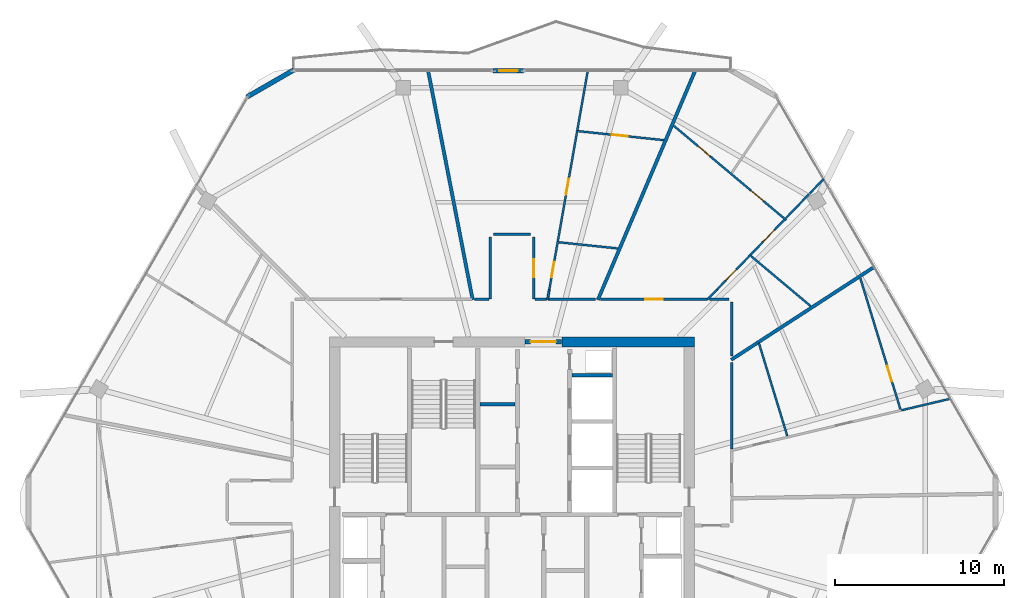
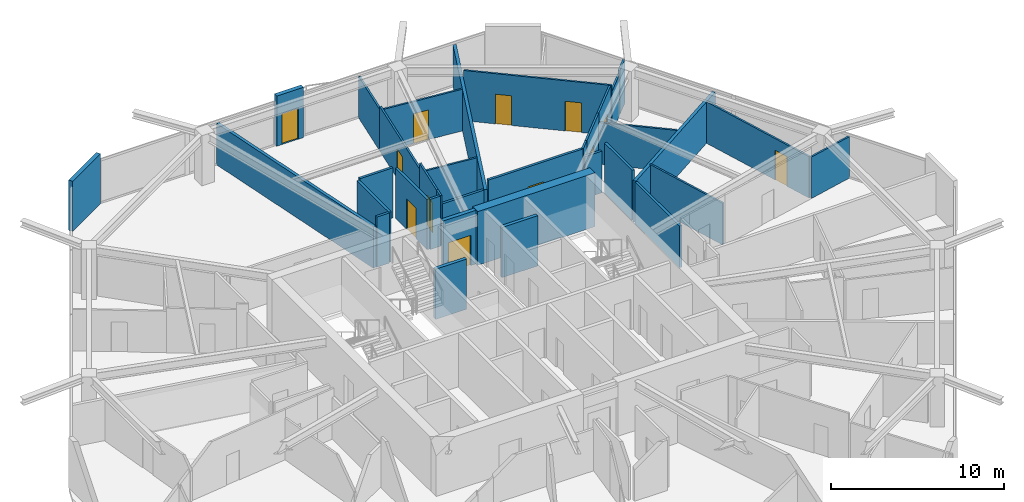
# One storey, part 23 of 26: 35 walls, 12 doors, 12 openings.
"""IFC4 building model written with IfcOpenShell, lengths in metres."""

from ifc_helpers import new_model, si_unit, direction, frame, frame_2d, origin, place, context, subcontext, project, spatial, rectangle, extrude, material, layer, layer_set, type_object, element, fill, save


model = new_model("IFC4")

# Units and contexts
model_context = context("Model", 3, precision=1e-05, world=origin(), true_north=direction((0.0, 1.0)))
body_context = subcontext(model_context, "Body", "Model", "MODEL_VIEW")
ifc_project = project(units=[si_unit("LENGTHUNIT", "METRE"), si_unit("AREAUNIT", "SQUARE_METRE"), si_unit("VOLUMEUNIT", "CUBIC_METRE"), si_unit("PLANEANGLEUNIT", "RADIAN"), si_unit("MASSUNIT", "GRAM", prefix="KILO")], contexts=[model_context])

# Site, building, storey
site_placement = place(None, origin())
site = spatial("IfcSite", under=ifc_project, at=site_placement, CompositionType="ELEMENT")
building_placement = place(site_placement, origin())
building = spatial("IfcBuilding", under=site, at=building_placement, Name="Zuhravey Tower", CompositionType="ELEMENT")
storey_placement = place(building_placement, frame((0.0, 0.0, 288.199951171875)))
storey = spatial("IfcBuildingStorey", under=building, at=storey_placement, Name="L73", CompositionType="ELEMENT", Elevation=288.199951171875)

# Wall
ifc_material_1 = material(Name="Concrete C50/60", Category="concrete")
ifc_layer_1 = layer(ifc_material_1, 0.60009765625)
ifc_layer_set_1 = layer_set([ifc_layer_1], Name="Concrete C50/60")
wall_type_1 = type_object("IfcWallType", Name="Core Shear Wall 600", PredefinedType="SHEAR", material=ifc_layer_set_1)
wall_1_placement = place(storey_placement, frame((46.800048828125, 41.5, 0.0), z_axis=(0.0, 0.0, 1.0), x_axis=(-1.0, 0.0, 0.0)))
element("IfcWall", 1, at=wall_1_placement, inside=storey, type_object=wall_type_1, Name="L73 North-East Core Shear Wall CW60", PredefinedType="SHEAR", context=body_context, shape_type="SweptSolid", body=[
    extrude(rectangle(XDim=7.85009765625, YDim=0.60009765625, at=frame_2d((3.925048828125, 0.0))), origin(), (0.0, 0.0, 1.0), 3.800048828125),
])

# Wall, opening, door
ifc_material_2 = material(Name="Gypsum fire-rated stud partition")
ifc_layer_2 = layer(ifc_material_2, 0.159912109375)
ifc_layer_set_2 = layer_set([ifc_layer_2], Name="Gypsum fire-rated stud partition")
wall_type_2 = type_object("IfcWallType", Name="Corridor Fire Partition 160", PredefinedType="PARTITIONING", material=ifc_layer_set_2)
wall_2_placement = place(storey_placement, frame((47.5732421875, 44.030029296875, 0.0), z_axis=(0.0, 0.0, 1.0), x_axis=(-1.0, 0.0, 0.0)))
wall_2 = element("IfcWall", 2, at=wall_2_placement, inside=storey, type_object=wall_type_2, Name="L73 IW16 Partition 056", PredefinedType="PARTITIONING", context=body_context, shape_type="SweptSolid", body=[
    extrude(rectangle(XDim=6.320556640625, YDim=0.159912109375, at=frame_2d((3.16015625, 0.0))), origin(), (0.0, 0.0, 1.0), 3.550048828125),
])
opening_1_placement = place(wall_2_placement, frame((2.63525390625, 0.0, 0.0)))
opening_1 = element("IfcOpeningElement", 3, at=opening_1_placement, cuts=wall_2, Name="Opening APD1", PredefinedType="OPENING", context=body_context, shape_type="SweptSolid", body=[
    extrude(rectangle(XDim=1.050048828125, YDim=2.14990234375, at=frame_2d((0.52490234375, 1.074951171875))), frame((0.0, 0.092041015625, 0.0), z_axis=(0.0, -1.0, 0.0), x_axis=(1.0, 0.0, 0.0)), (0.0, 0.0, 1.0), 0.183837890625),
])
ifc_material_3 = material(Name="Solid-core oak fire-rated leaf")
door_type_1 = type_object("IfcDoorType", Name="Apartment Entrance Fire Door 1050x2150", OperationType="NOTDEFINED", PredefinedType="DOOR", material=ifc_material_3)
door_1_placement = place(opening_1_placement, frame((1.050048828125, 0.0, 0.0), z_axis=(0.0, 0.0, 1.0), x_axis=(-1.0, 0.0, 0.0)))
door_1 = element("IfcDoor", 4, at=door_1_placement, inside=storey, type_object=door_type_1, Name="L73 Door 056.1", OperationType="SINGLE_SWING_LEFT", OverallHeight=2.14990234375, OverallWidth=1.050048828125, PredefinedType="DOOR", context=body_context, shape_type="SweptSolid", body=[
    extrude(rectangle(XDim=1.050048828125, YDim=2.14990234375, at=frame_2d((0.52490234375, 1.074951171875))), frame((0.0, 0.02490234375, 0.0), z_axis=(0.0, -1.0, 0.0), x_axis=(1.0, 0.0, 0.0)), (0.0, 0.0, 1.0), 0.050048828125),
])
fill(opening_1, door_1)

wall_3_placement = place(storey_placement, frame((37.280029296875, 44.030029296875, 0.0), z_axis=(0.0, 0.0, 1.0), x_axis=(0.0, 1.0, 0.0)))
wall_3 = element("IfcWall", 5, at=wall_3_placement, inside=storey, type_object=wall_type_2, Name="L73 IW16 Partition 060", PredefinedType="PARTITIONING", context=body_context, shape_type="SweptSolid", body=[
    extrude(rectangle(XDim=3.669921875, YDim=0.159912109375, at=frame_2d((1.8349609375, 0.0))), origin(), (0.0, 0.0, 1.0), 3.550048828125),
])
opening_2_placement = place(wall_3_placement, frame((1.31005859375, 0.0, 0.0)))
opening_2 = element("IfcOpeningElement", 6, at=opening_2_placement, cuts=wall_3, Name="Opening APD1", PredefinedType="OPENING", context=body_context, shape_type="SweptSolid", body=[
    extrude(rectangle(XDim=1.050048828125, YDim=2.14990234375, at=frame_2d((0.52490234375, 1.074951171875))), frame((0.0, 0.092041015625, 0.0), z_axis=(0.0, -1.0, 0.0), x_axis=(1.0, 0.0, 0.0)), (0.0, 0.0, 1.0), 0.183837890625),
])
door_2_placement = place(opening_2_placement, origin())
door_2 = element("IfcDoor", 7, at=door_2_placement, inside=storey, type_object=door_type_1, Name="L73 Door 060.1", OperationType="SINGLE_SWING_LEFT", OverallHeight=2.14990234375, OverallWidth=1.050048828125, PredefinedType="DOOR", context=body_context, shape_type="SweptSolid", body=[
    extrude(rectangle(XDim=1.050048828125, YDim=2.14990234375, at=frame_2d((0.52490234375, 1.074951171875))), frame((0.0, 0.02490234375, 0.0), z_axis=(0.0, -1.0, 0.0), x_axis=(1.0, 0.0, 0.0)), (0.0, 0.0, 1.0), 0.050048828125),
])
fill(opening_2, door_2)

# Walls
wall_4_placement = place(storey_placement, frame((49.030029296875, 35.145263671875, 0.0), z_axis=(0.0, 0.0, 1.0), x_axis=(0.0, 1.0, 0.0)))
element("IfcWall", 8, at=wall_4_placement, inside=storey, type_object=wall_type_2, Name="L73 IW16 Partition 123", PredefinedType="PARTITIONING", context=body_context, shape_type="SweptSolid", body=[
    extrude(rectangle(XDim=5.132080078125, YDim=0.159912109375, at=frame_2d((2.56591796875, 0.0))), origin(), (0.0, 0.0, 1.0), 2.949951171875),
])
wall_5_placement = place(storey_placement, frame((49.030029296875, 40.6484375, 0.0), z_axis=(0.0, 0.0, 1.0), x_axis=(0.0, 1.0, 0.0)))
element("IfcWall", 9, at=wall_5_placement, inside=storey, type_object=wall_type_2, Name="L73 IW16 Partition 124", PredefinedType="PARTITIONING", context=body_context, shape_type="SweptSolid", body=[
    extrude(rectangle(XDim=3.20166015625, YDim=0.159912109375, at=frame_2d((1.600830078125, 0.0))), origin(), (0.0, 0.0, 1.0), 3.550048828125),
])
wall_6_placement = place(storey_placement, frame((48.85009765625, 44.030029296875, 0.0), z_axis=(0.0, 0.0, 1.0), x_axis=(-1.0, 0.0, 0.0)))
element("IfcWall", 10, at=wall_6_placement, inside=storey, type_object=wall_type_2, Name="L73 IW16 Partition 125", PredefinedType="PARTITIONING", context=body_context, shape_type="SweptSolid", body=[
    extrude(rectangle(XDim=1.154541015625, YDim=0.159912109375, at=frame_2d((0.5771484375, 0.0))), origin(), (0.0, 0.0, 1.0), 2.949951171875),
])
wall_7_placement = place(storey_placement, frame((34.719970703125, 47.699951171875, 0.0), z_axis=(0.0, 0.0, 1.0), x_axis=(0.0, -1.0, 0.0)))
element("IfcWall", 11, at=wall_7_placement, inside=storey, type_object=wall_type_2, Name="L73 IW16 Partition 126", PredefinedType="PARTITIONING", context=body_context, shape_type="SweptSolid", body=[
    extrude(rectangle(XDim=3.669921875, YDim=0.159912109375, at=frame_2d((1.8349609375, 0.0))), origin(), (0.0, 0.0, 1.0), 3.550048828125),
])
wall_8_placement = place(storey_placement, frame((37.10009765625, 47.8798828125, 0.0), z_axis=(0.0, 0.0, 1.0), x_axis=(-1.0, 0.0, 0.0)))
element("IfcWall", 12, at=wall_8_placement, inside=storey, type_object=wall_type_2, Name="L73 IW16 Partition 127", PredefinedType="PARTITIONING", context=body_context, shape_type="SweptSolid", body=[
    extrude(rectangle(XDim=2.2001953125, YDim=0.159912109375, at=frame_2d((1.10009765625, 0.0))), origin(), (0.0, 0.0, 1.0), 3.550048828125),
])
wall_9_placement = place(storey_placement, frame((34.632080078125, 44.030029296875, 0.0), z_axis=(0.0, 0.0, 1.0), x_axis=(-1.0, 0.0, 0.0)))
element("IfcWall", 13, at=wall_9_placement, inside=storey, type_object=wall_type_2, Name="L73 IW16 Partition 128", PredefinedType="PARTITIONING", context=body_context, shape_type="SweptSolid", body=[
    extrude(rectangle(XDim=0.84130859375, YDim=0.159912109375, at=frame_2d((0.420654296875, 0.0))), origin(), (0.0, 0.0, 1.0), 3.550048828125),
])
wall_10_placement = place(storey_placement, frame((38.04345703125, 44.030029296875, 0.0), z_axis=(0.0, 0.0, 1.0), x_axis=(-1.0, 0.0, 0.0)))
element("IfcWall", 14, at=wall_10_placement, inside=storey, type_object=wall_type_2, Name="L73 IW16 Partition 129", PredefinedType="PARTITIONING", context=body_context, shape_type="SweptSolid", body=[
    extrude(rectangle(XDim=0.675537109375, YDim=0.159912109375, at=frame_2d((0.337890625, 0.0))), origin(), (0.0, 0.0, 1.0), 3.550048828125),
])
wall_11_placement = place(storey_placement, frame((40.961181640625, 44.030029296875, 0.0), z_axis=(0.0, 0.0, 1.0), x_axis=(-1.0, 0.0, 0.0)))
element("IfcWall", 15, at=wall_11_placement, inside=storey, type_object=wall_type_2, Name="L73 IW16 Partition 130", PredefinedType="PARTITIONING", context=body_context, shape_type="SweptSolid", body=[
    extrude(rectangle(XDim=2.779541015625, YDim=0.159912109375, at=frame_2d((1.3896484375, 0.0))), origin(), (0.0, 0.0, 1.0), 2.949951171875),
])
ifc_material_4 = material(Name="Precast concrete C40/50", Category="concrete")
ifc_layer_3 = layer(ifc_material_4, 0.280029296875)
ifc_layer_set_3 = layer_set([ifc_layer_3], Name="Precast concrete C40/50")
wall_type_3 = type_object("IfcWallType", Name="Crown Architectural Wall 280", PredefinedType="SOLIDWALL", material=ifc_layer_set_3)
wall_12_placement = place(storey_placement, frame((20.285400390625, 56.003662109375, 0.0), z_axis=(0.0, 0.0, 1.0), x_axis=(0.866028773314, 0.499994163758, 0.0)))
element("IfcWall", 16, at=wall_12_placement, inside=storey, type_object=wall_type_3, Name="L73 Rounded Corner Closure Wall EW28-08", PredefinedType="SOLIDWALL", context=body_context, shape_type="SweptSolid", body=[
    extrude(rectangle(XDim=3.21484375, YDim=0.280029296875, at=frame_2d((1.607421875, 0.0))), origin(), (0.0, 0.0, 1.0), 3.550048828125),
])

# Wall, opening, door
wall_13_placement = place(storey_placement, frame((34.88623046875, 57.563720703125, 0.0), z_axis=(0.0, 0.0, 1.0), x_axis=(1.0, 0.0, 0.0)))
wall_13 = element("IfcWall", 17, at=wall_13_placement, inside=storey, type_object=wall_type_3, Name="L73 Face 2 Facade Pier EW28-1", PredefinedType="SOLIDWALL", context=body_context, shape_type="SweptSolid", body=[
    extrude(rectangle(XDim=1.7900390625, YDim=0.280029296875, at=frame_2d((0.89501953125, 0.0))), origin(), (0.0, 0.0, 1.0), 3.550048828125),
])
opening_3_placement = place(wall_13_placement, frame((0.344970703125, 0.0, 0.0)))
opening_3 = element("IfcOpeningElement", 18, at=opening_3_placement, cuts=wall_13, Name="Opening BLD1", PredefinedType="OPENING", context=body_context, shape_type="SweptSolid", body=[
    extrude(rectangle(XDim=1.10009765625, YDim=2.199951171875, at=frame_2d((0.550048828125, 1.10009765625))), frame((0.0, 0.152099609375, 0.0), z_axis=(0.0, -1.0, 0.0), x_axis=(1.0, 0.0, 0.0)), (0.0, 0.0, 1.0), 0.303955078125),
])
ifc_material_5 = material(Name="Thermally broken aluminium and low-E glass", Category="aluminium")
door_type_2 = type_object("IfcDoorType", Name="Balcony & Sky-Tray Glazed Door 1100x2200", OperationType="NOTDEFINED", PredefinedType="DOOR", material=ifc_material_5)
door_3_placement = place(opening_3_placement, frame((1.10009765625, 0.0, 0.0), z_axis=(0.0, 0.0, 1.0), x_axis=(-1.0, 0.0, 0.0)))
door_3 = element("IfcDoor", 19, at=door_3_placement, inside=storey, type_object=door_type_2, Name="L73 Face 2 Wave Balcony Door", OperationType="SINGLE_SWING_RIGHT", OverallHeight=2.199951171875, OverallWidth=1.10009765625, PredefinedType="DOOR", context=body_context, shape_type="SweptSolid", body=[
    extrude(rectangle(XDim=1.10009765625, YDim=2.199951171875, at=frame_2d((0.550048828125, 1.10009765625))), frame((0.0, 0.02490234375, 0.0), z_axis=(0.0, -1.0, 0.0), x_axis=(1.0, 0.0, 0.0)), (0.0, 0.0, 1.0), 0.050048828125),
])
fill(opening_3, door_3)

ifc_layer_4 = layer(ifc_material_1, 0.25)
ifc_layer_set_4 = layer_set([ifc_layer_4], Name="Concrete C50/60")
wall_type_4 = type_object("IfcWallType", Name="Firefighting Shaft & Stair Wall 250", PredefinedType="SOLIDWALL", material=ifc_layer_set_4)
wall_14_placement = place(storey_placement, frame((36.760009765625, 41.5, 0.0), z_axis=(0.0, 0.0, 1.0), x_axis=(1.0, 0.0, 0.0)))
wall_14 = element("IfcWall", 20, at=wall_14_placement, inside=storey, type_object=wall_type_4, Name="L73 FW25 Shaft Wall 002", PredefinedType="SOLIDWALL", context=body_context, shape_type="SweptSolid", body=[
    extrude(rectangle(XDim=2.179931640625, YDim=0.25, at=frame_2d((1.08984375, 0.0))), origin(), (0.0, 0.0, 1.0), 3.800048828125),
])
opening_4_placement = place(wall_14_placement, frame((0.340087890625, 0.0, 0.0)))
opening_4 = element("IfcOpeningElement", 21, at=opening_4_placement, cuts=wall_14, Name="Opening FFD1", PredefinedType="OPENING", context=body_context, shape_type="SweptSolid", body=[
    extrude(rectangle(XDim=1.5, YDim=2.14990234375, at=frame_2d((0.75, 1.074951171875))), frame((0.0, 0.136962890625, 0.0), z_axis=(0.0, -1.0, 0.0), x_axis=(1.0, 0.0, 0.0)), (0.0, 0.0, 1.0), 0.27392578125),
])
ifc_material_6 = material(Name="Galvanised fire-rated steel leaf", Category="steel")
door_type_3 = type_object("IfcDoorType", Name="Firefighting Lobby Double Door 1500x2150", OperationType="DOUBLE_DOOR_SINGLE_SWING", PredefinedType="DOOR", material=ifc_material_6)
door_4_placement = place(opening_4_placement, origin())
door_4 = element("IfcDoor", 22, at=door_4_placement, inside=storey, type_object=door_type_3, Name="L73 North Lift Lobby Exit Door", OperationType="DOUBLE_DOOR_SINGLE_SWING", OverallHeight=2.14990234375, OverallWidth=1.5, PredefinedType="DOOR", context=body_context, shape_type="SweptSolid", body=[
    extrude(rectangle(XDim=1.5, YDim=2.14990234375, at=frame_2d((0.75, 1.074951171875))), frame((0.0, 0.02490234375, 0.0), z_axis=(0.0, -1.0, 0.0), x_axis=(1.0, 0.0, 0.0)), (0.0, 0.0, 1.0), 0.050048828125),
])
fill(opening_4, door_4)

# Walls
ifc_material_7 = material(Name="Gypsum double-stud party assembly")
ifc_layer_5 = layer(ifc_material_7, 0.199951171875)
ifc_layer_set_5 = layer_set([ifc_layer_5], Name="Gypsum double-stud party assembly")
wall_type_5 = type_object("IfcWallType", Name="Inter-Tenancy Party Wall 200", PredefinedType="PARTITIONING", material=ifc_layer_set_5)
wall_15_placement = place(storey_placement, frame((48.989990234375, 40.435791015625, 0.0), z_axis=(0.0, 0.0, 1.0), x_axis=(0.838669748525, 0.54464029681, 0.0)))
element("IfcWall", 23, at=wall_15_placement, inside=storey, type_object=wall_type_5, Name="L73 IW20 Partition 096", PredefinedType="PARTITIONING", context=body_context, shape_type="SweptSolid", body=[
    extrude(rectangle(XDim=10.110107421875, YDim=0.199951171875, at=frame_2d((5.05517578125, 0.0))), origin(), (0.0, 0.0, 1.0), 2.929931640625),
])
wall_16_placement = place(storey_placement, frame((41.089599609375, 43.989990234375, 0.0), z_axis=(0.0, 0.0, 1.0), x_axis=(0.390717789384, 0.920510515453, 0.0)))
element("IfcWall", 24, at=wall_16_placement, inside=storey, type_object=wall_type_5, Name="L73 IW20 Partition 101", PredefinedType="PARTITIONING", context=body_context, shape_type="SweptSolid", body=[
    extrude(rectangle(XDim=14.745849609375, YDim=0.199951171875, at=frame_2d((7.373046875, 0.0))), origin(), (0.0, 0.0, 1.0), 2.929931640625),
])
wall_17_placement = place(storey_placement, frame((33.66943359375, 43.989990234375, 0.0), z_axis=(0.0, 0.0, 1.0), x_axis=(-0.190806334077, 0.981627700748, 0.0)))
element("IfcWall", 25, at=wall_17_placement, inside=storey, type_object=wall_type_5, Name="L73 IW20 Partition 105", PredefinedType="PARTITIONING", context=body_context, shape_type="SweptSolid", body=[
    extrude(rectangle(XDim=13.827880859375, YDim=0.199951171875, at=frame_2d((6.9140625, 0.0))), origin(), (0.0, 0.0, 1.0), 2.929931640625),
])
ifc_material_8 = material(Name="Gypsum acoustic stud assembly")
ifc_layer_6 = layer(ifc_material_8, 0.219970703125)
ifc_layer_set_6 = layer_set([ifc_layer_6], Name="Gypsum acoustic stud assembly")
wall_type_6 = type_object("IfcWallType", Name="School Acoustic Compartment Wall 220", PredefinedType="PARTITIONING", material=ifc_layer_set_6)
wall_18_placement = place(storey_placement, frame((34.10791015625, 37.800048828125, 0.0), z_axis=(0.0, 0.0, 1.0), x_axis=(1.0, 0.0, 0.0)))
element("IfcWall", 26, at=wall_18_placement, inside=storey, type_object=wall_type_6, Name="L73 IW22 Partition 066", PredefinedType="PARTITIONING", context=body_context, shape_type="SweptSolid", body=[
    extrude(rectangle(XDim=2.083984375, YDim=0.219970703125, at=frame_2d((1.0419921875, 0.0))), origin(), (0.0, 0.0, 1.0), 3.550048828125),
])
wall_19_placement = place(storey_placement, frame((39.55810546875, 39.52490234375, 0.0), z_axis=(0.0, 0.0, 1.0), x_axis=(1.0, 0.0, 0.0)))
element("IfcWall", 27, at=wall_19_placement, inside=storey, type_object=wall_type_6, Name="L73 IW22 Partition 069", PredefinedType="PARTITIONING", context=body_context, shape_type="SweptSolid", body=[
    extrude(rectangle(XDim=2.3837890625, YDim=0.219970703125, at=frame_2d((1.19189453125, 0.0))), origin(), (0.0, 0.0, 1.0), 3.550048828125),
])

# Wall, opening, door
ifc_material_9 = material(Name="Gypsum metal-stud partition")
ifc_layer_7 = layer(ifc_material_9, 0.1201171875)
ifc_layer_set_7 = layer_set([ifc_layer_7], Name="Gypsum metal-stud partition")
wall_type_7 = type_object("IfcWallType", Name="Unit Internal Partition 120", PredefinedType="PARTITIONING", material=ifc_layer_set_7)
wall_20_placement = place(storey_placement, frame((59.0166015625, 37.502197265625, 0.0), z_axis=(0.0, 0.0, 1.0), x_axis=(-0.292365927027, 0.956306522363, 0.0)))
wall_20 = element("IfcWall", 28, at=wall_20_placement, inside=storey, type_object=wall_type_7, Name="L73 IW12 Partition 050", PredefinedType="PARTITIONING", context=body_context, shape_type="SweptSolid", body=[
    extrude(rectangle(XDim=8.121826171875, YDim=0.1201171875, at=frame_2d((4.06103515625, 0.0))), origin(), (0.0, 0.0, 1.0), 2.929931640625),
])
opening_5_placement = place(wall_20_placement, frame((1.74169921875, 0.0, 0.0)))
opening_5 = element("IfcOpeningElement", 29, at=opening_5_placement, cuts=wall_20, Name="Opening IND1", PredefinedType="OPENING", context=body_context, shape_type="SweptSolid", body=[
    extrude(rectangle(XDim=0.949951171875, YDim=2.10009765625, at=frame_2d((0.47509765625, 1.050048828125))), frame((0.0, 0.072021484375, 0.0), z_axis=(0.0, -1.0, 0.0), x_axis=(1.0, 0.0, 0.0)), (0.0, 0.0, 1.0), 0.14404296875),
])
ifc_material_10 = material(Name="Painted engineered timber leaf", Category="wood")
door_type_4 = type_object("IfcDoorType", Name="Internal Room & Bedroom Door 950x2100", OperationType="NOTDEFINED", PredefinedType="DOOR", material=ifc_material_10)
door_5_placement = place(opening_5_placement, frame((0.949951171875, 0.0, 0.0), z_axis=(0.0, 0.0, 1.0), x_axis=(-1.0, 0.0, 0.0)))
door_5 = element("IfcDoor", 30, at=door_5_placement, inside=storey, type_object=door_type_4, Name="Apartment L73-06 Kitchen Door", OperationType="SINGLE_SWING_LEFT", OverallHeight=2.10009765625, OverallWidth=0.949951171875, PredefinedType="DOOR", context=body_context, shape_type="SweptSolid", body=[
    extrude(rectangle(XDim=0.949951171875, YDim=2.10009765625, at=frame_2d((0.47509765625, 1.050048828125))), frame((0.0, 0.02490234375, 0.0), z_axis=(0.0, -1.0, 0.0), x_axis=(1.0, 0.0, 0.0)), (0.0, 0.0, 1.0), 0.050048828125),
])
fill(opening_5, door_5)

# Wall, openings, doors
wall_21_placement = place(storey_placement, frame((52.2529296875, 48.709716796875, 0.0), z_axis=(0.0, 0.0, 1.0), x_axis=(-0.766038651281, 0.642794512067, 0.0)))
wall_21 = element("IfcWall", 31, at=wall_21_placement, inside=storey, type_object=wall_type_7, Name="L73 IW12 Partition 052", PredefinedType="PARTITIONING", context=body_context, shape_type="SweptSolid", body=[
    extrude(rectangle(XDim=8.700439453125, YDim=0.1201171875, at=frame_2d((4.35009765625, 0.0))), origin(), (0.0, 0.0, 1.0), 3.550048828125),
])
opening_6_placement = place(wall_21_placement, frame((1.777587890625, 0.0, 0.0)))
opening_6 = element("IfcOpeningElement", 32, at=opening_6_placement, cuts=wall_21, Name="Opening IND1", PredefinedType="OPENING", context=body_context, shape_type="SweptSolid", body=[
    extrude(rectangle(XDim=0.949951171875, YDim=2.10009765625, at=frame_2d((0.47509765625, 1.050048828125))), frame((0.0, 0.072021484375, 0.0), z_axis=(0.0, -1.0, 0.0), x_axis=(1.0, 0.0, 0.0)), (0.0, 0.0, 1.0), 0.14404296875),
])
opening_7_placement = place(wall_21_placement, frame((5.88720703125, 0.0, 0.0)))
opening_7 = element("IfcOpeningElement", 33, at=opening_7_placement, cuts=wall_21, Name="Opening IND1", PredefinedType="OPENING", context=body_context, shape_type="SweptSolid", body=[
    extrude(rectangle(XDim=0.949951171875, YDim=2.10009765625, at=frame_2d((0.47509765625, 1.050048828125))), frame((0.0, 0.072021484375, 0.0), z_axis=(0.0, -1.0, 0.0), x_axis=(1.0, 0.0, 0.0)), (0.0, 0.0, 1.0), 0.14404296875),
])
door_6_placement = place(opening_6_placement, frame((0.949951171875, 0.0, 0.0), z_axis=(0.0, 0.0, 1.0), x_axis=(-1.0, 0.0, 0.0)))
door_6 = element("IfcDoor", 34, at=door_6_placement, inside=storey, type_object=door_type_4, Name="Apartment L73-07 Family Study Door", OperationType="SINGLE_SWING_LEFT", OverallHeight=2.10009765625, OverallWidth=0.949951171875, PredefinedType="DOOR", context=body_context, shape_type="SweptSolid", body=[
    extrude(rectangle(XDim=0.949951171875, YDim=2.10009765625, at=frame_2d((0.47509765625, 1.050048828125))), frame((0.0, 0.02490234375, 0.0), z_axis=(0.0, -1.0, 0.0), x_axis=(1.0, 0.0, 0.0)), (0.0, 0.0, 1.0), 0.050048828125),
])
fill(opening_6, door_6)
door_7_placement = place(opening_7_placement, frame((0.949951171875, 0.0, 0.0), z_axis=(0.0, 0.0, 1.0), x_axis=(-1.0, 0.0, 0.0)))
door_7 = element("IfcDoor", 35, at=door_7_placement, inside=storey, type_object=door_type_4, Name="Apartment L73-07 Dining Room Door", OperationType="SINGLE_SWING_RIGHT", OverallHeight=2.10009765625, OverallWidth=0.949951171875, PredefinedType="DOOR", context=body_context, shape_type="SweptSolid", body=[
    extrude(rectangle(XDim=0.949951171875, YDim=2.10009765625, at=frame_2d((0.47509765625, 1.050048828125))), frame((0.0, 0.02490234375, 0.0), z_axis=(0.0, -1.0, 0.0), x_axis=(1.0, 0.0, 0.0)), (0.0, 0.0, 1.0), 0.050048828125),
])
fill(opening_7, door_7)

# Wall, opening, door
wall_22_placement = place(storey_placement, frame((48.150634765625, 44.60009765625, 0.0), z_axis=(0.0, 0.0, 1.0), x_axis=(0.694200700665, 0.719781485727, 0.0)))
wall_22 = element("IfcWall", 36, at=wall_22_placement, inside=storey, type_object=wall_type_7, Name="L73 IW12 Partition 053", PredefinedType="PARTITIONING", context=body_context, shape_type="SweptSolid", body=[
    extrude(rectangle(XDim=2.843994140625, YDim=0.1201171875, at=frame_2d((1.421875, 0.0))), origin(), (0.0, 0.0, 1.0), 3.550048828125),
])
opening_8_placement = place(wall_22_placement, frame((0.74462890625, 0.0, 0.0)))
opening_8 = element("IfcOpeningElement", 37, at=opening_8_placement, cuts=wall_22, Name="Opening WCD1", PredefinedType="OPENING", context=body_context, shape_type="SweptSolid", body=[
    extrude(rectangle(XDim=0.89990234375, YDim=2.10009765625, at=frame_2d((0.449951171875, 1.050048828125))), frame((0.0, 0.072021484375, 0.0), z_axis=(0.0, -1.0, 0.0), x_axis=(1.0, 0.0, 0.0)), (0.0, 0.0, 1.0), 0.14404296875),
])
ifc_material_11 = material(Name="Moisture-resistant timber leaf", Category="wood")
door_type_5 = type_object("IfcDoorType", Name="Bathroom & WC Internal Door 900x2100", OperationType="NOTDEFINED", PredefinedType="DOOR", material=ifc_material_11)
door_8_placement = place(opening_8_placement, frame((0.89990234375, 0.0, 0.0), z_axis=(0.0, 0.0, 1.0), x_axis=(-1.0, 0.0, 0.0)))
door_8 = element("IfcDoor", 38, at=door_8_placement, inside=storey, type_object=door_type_5, Name="Apartment L73-07 Bathroom Door", OperationType="SINGLE_SWING_LEFT", OverallHeight=2.10009765625, OverallWidth=0.89990234375, PredefinedType="DOOR", context=body_context, shape_type="SweptSolid", body=[
    extrude(rectangle(XDim=0.89990234375, YDim=2.10009765625, at=frame_2d((0.449951171875, 1.050048828125))), frame((0.0, 0.02490234375, 0.0), z_axis=(0.0, -1.0, 0.0), x_axis=(1.0, 0.0, 0.0)), (0.0, 0.0, 1.0), 0.050048828125),
])
fill(opening_8, door_8)

wall_23_placement = place(storey_placement, frame((50.125, 46.647216796875, 0.0), z_axis=(0.0, 0.0, 1.0), x_axis=(0.6941778281, 0.719803544708, 0.0)))
wall_23 = element("IfcWall", 39, at=wall_23_placement, inside=storey, type_object=wall_type_7, Name="L73 IW12 Partition 054", PredefinedType="PARTITIONING", context=body_context, shape_type="SweptSolid", body=[
    extrude(rectangle(XDim=2.88671875, YDim=0.1201171875, at=frame_2d((1.443359375, 0.0))), origin(), (0.0, 0.0, 1.0), 3.550048828125),
])
opening_9_placement = place(wall_23_placement, frame((1.09228515625, 0.0, 0.0)))
opening_9 = element("IfcOpeningElement", 40, at=opening_9_placement, cuts=wall_23, Name="Opening IND1", PredefinedType="OPENING", context=body_context, shape_type="SweptSolid", body=[
    extrude(rectangle(XDim=0.949951171875, YDim=2.10009765625, at=frame_2d((0.47509765625, 1.050048828125))), frame((0.0, 0.072021484375, 0.0), z_axis=(0.0, -1.0, 0.0), x_axis=(1.0, 0.0, 0.0)), (0.0, 0.0, 1.0), 0.14404296875),
])
door_9_placement = place(opening_9_placement, frame((0.949951171875, 0.0, 0.0), z_axis=(0.0, 0.0, 1.0), x_axis=(-1.0, 0.0, 0.0)))
door_9 = element("IfcDoor", 41, at=door_9_placement, inside=storey, type_object=door_type_4, Name="Apartment L73-07 Bedroom 1 Door", OperationType="SINGLE_SWING_RIGHT", OverallHeight=2.10009765625, OverallWidth=0.949951171875, PredefinedType="DOOR", context=body_context, shape_type="SweptSolid", body=[
    extrude(rectangle(XDim=0.949951171875, YDim=2.10009765625, at=frame_2d((0.47509765625, 1.050048828125))), frame((0.0, 0.02490234375, 0.0), z_axis=(0.0, -1.0, 0.0), x_axis=(1.0, 0.0, 0.0)), (0.0, 0.0, 1.0), 0.050048828125),
])
fill(opening_9, door_9)

# Wall
wall_24_placement = place(storey_placement, frame((52.223388671875, 48.8232421875, 0.0), z_axis=(0.0, 0.0, 1.0), x_axis=(0.694112766322, 0.719866284547, 0.0)))
element("IfcWall", 42, at=wall_24_placement, inside=storey, type_object=wall_type_7, Name="L73 IW12 Partition 055", PredefinedType="PARTITIONING", context=body_context, shape_type="SweptSolid", body=[
    extrude(rectangle(XDim=1.981201171875, YDim=0.1201171875, at=frame_2d((0.99072265625, 0.0))), origin(), (0.0, 0.0, 1.0), 2.929931640625),
])

# Wall, opening, door
wall_25_placement = place(storey_placement, frame((38.212646484375, 44.60009765625, 0.0), z_axis=(0.0, 0.0, 1.0), x_axis=(0.172952580591, 0.984930152278, 0.0)))
wall_25 = element("IfcWall", 43, at=wall_25_placement, inside=storey, type_object=wall_type_7, Name="L73 IW12 Partition 057", PredefinedType="PARTITIONING", context=body_context, shape_type="SweptSolid", body=[
    extrude(rectangle(XDim=2.876953125, YDim=0.1201171875, at=frame_2d((1.4384765625, 0.0))), origin(), (0.0, 0.0, 1.0), 3.550048828125),
])
opening_10_placement = place(wall_25_placement, frame((0.75830078125, 0.0, 0.0)))
opening_10 = element("IfcOpeningElement", 44, at=opening_10_placement, cuts=wall_25, Name="Opening WCD1", PredefinedType="OPENING", context=body_context, shape_type="SweptSolid", body=[
    extrude(rectangle(XDim=0.89990234375, YDim=2.10009765625, at=frame_2d((0.449951171875, 1.050048828125))), frame((0.0, 0.072021484375, 0.0), z_axis=(0.0, -1.0, 0.0), x_axis=(1.0, 0.0, 0.0)), (0.0, 0.0, 1.0), 0.14404296875),
])
door_10_placement = place(opening_10_placement, frame((0.89990234375, 0.0, 0.0), z_axis=(0.0, 0.0, 1.0), x_axis=(-1.0, 0.0, 0.0)))
door_10 = element("IfcDoor", 45, at=door_10_placement, inside=storey, type_object=door_type_5, Name="Apartment L73-08 Bathroom Door", OperationType="SINGLE_SWING_RIGHT", OverallHeight=2.10009765625, OverallWidth=0.89990234375, PredefinedType="DOOR", context=body_context, shape_type="SweptSolid", body=[
    extrude(rectangle(XDim=0.89990234375, YDim=2.10009765625, at=frame_2d((0.449951171875, 1.050048828125))), frame((0.0, 0.02490234375, 0.0), z_axis=(0.0, -1.0, 0.0), x_axis=(1.0, 0.0, 0.0)), (0.0, 0.0, 1.0), 0.050048828125),
])
fill(opening_10, door_10)

wall_26_placement = place(storey_placement, frame((38.710205078125, 47.43359375, 0.0), z_axis=(0.0, 0.0, 1.0), x_axis=(0.172976678648, 0.984925920384, 0.0)))
wall_26 = element("IfcWall", 46, at=wall_26_placement, inside=storey, type_object=wall_type_7, Name="L73 IW12 Partition 058", PredefinedType="PARTITIONING", context=body_context, shape_type="SweptSolid", body=[
    extrude(rectangle(XDim=6.68310546875, YDim=0.1201171875, at=frame_2d((3.341552734375, 0.0))), origin(), (0.0, 0.0, 1.0), 3.150146484375),
])
opening_11_placement = place(wall_26_placement, frame((2.84130859375, 0.0, 0.0)))
opening_11 = element("IfcOpeningElement", 47, at=opening_11_placement, cuts=wall_26, Name="Opening IND1", PredefinedType="OPENING", context=body_context, shape_type="SweptSolid", body=[
    extrude(rectangle(XDim=0.949951171875, YDim=2.10009765625, at=frame_2d((0.47509765625, 1.050048828125))), frame((0.0, 0.072021484375, 0.0), z_axis=(0.0, -1.0, 0.0), x_axis=(1.0, 0.0, 0.0)), (0.0, 0.0, 1.0), 0.14404296875),
])
door_11_placement = place(opening_11_placement, frame((0.949951171875, 0.0, 0.0), z_axis=(0.0, 0.0, 1.0), x_axis=(-1.0, 0.0, 0.0)))
door_11 = element("IfcDoor", 48, at=door_11_placement, inside=storey, type_object=door_type_4, Name="Apartment L73-08 Home Office Door", OperationType="SINGLE_SWING_LEFT", OverallHeight=2.10009765625, OverallWidth=0.949951171875, PredefinedType="DOOR", context=body_context, shape_type="SweptSolid", body=[
    extrude(rectangle(XDim=0.949951171875, YDim=2.10009765625, at=frame_2d((0.47509765625, 1.050048828125))), frame((0.0, 0.02490234375, 0.0), z_axis=(0.0, -1.0, 0.0), x_axis=(1.0, 0.0, 0.0)), (0.0, 0.0, 1.0), 0.050048828125),
])
fill(opening_11, door_11)

wall_27_placement = place(storey_placement, frame((44.993896484375, 53.451904296875, 0.0), z_axis=(0.0, 0.0, 1.0), x_axis=(-0.994522778287, 0.104520062511, 0.0)))
wall_27 = element("IfcWall", 49, at=wall_27_placement, inside=storey, type_object=wall_type_7, Name="L73 IW12 Partition 059", PredefinedType="PARTITIONING", context=body_context, shape_type="SweptSolid", body=[
    extrude(rectangle(XDim=5.092041015625, YDim=0.1201171875, at=frame_2d((2.5458984375, 0.0))), origin(), (0.0, 0.0, 1.0), 2.949951171875),
])
opening_12_placement = place(wall_27_placement, frame((2.1552734375, 0.0, 0.0)))
opening_12 = element("IfcOpeningElement", 50, at=opening_12_placement, cuts=wall_27, Name="Opening IND1", PredefinedType="OPENING", context=body_context, shape_type="SweptSolid", body=[
    extrude(rectangle(XDim=0.949951171875, YDim=2.10009765625, at=frame_2d((0.47509765625, 1.050048828125))), frame((0.0, 0.072021484375, 0.0), z_axis=(0.0, -1.0, 0.0), x_axis=(1.0, 0.0, 0.0)), (0.0, 0.0, 1.0), 0.14404296875),
])
door_12_placement = place(opening_12_placement, frame((0.949951171875, 0.0, 0.0), z_axis=(0.0, 0.0, 1.0), x_axis=(-1.0, 0.0, 0.0)))
door_12 = element("IfcDoor", 51, at=door_12_placement, inside=storey, type_object=door_type_4, Name="Apartment L73-08 Bedroom 1 Door", OperationType="SINGLE_SWING_RIGHT", OverallHeight=2.10009765625, OverallWidth=0.949951171875, PredefinedType="DOOR", context=body_context, shape_type="SweptSolid", body=[
    extrude(rectangle(XDim=0.949951171875, YDim=2.10009765625, at=frame_2d((0.47509765625, 1.050048828125))), frame((0.0, 0.02490234375, 0.0), z_axis=(0.0, -1.0, 0.0), x_axis=(1.0, 0.0, 0.0)), (0.0, 0.0, 1.0), 0.050048828125),
])
fill(opening_12, door_12)

# Walls
wall_28_placement = place(storey_placement, frame((59.060791015625, 37.44287109375, 0.0), z_axis=(0.0, 0.0, 1.0), x_axis=(0.97326763554, 0.229673920178, 0.0)))
element("IfcWall", 52, at=wall_28_placement, inside=storey, type_object=wall_type_7, Name="L73 IW12 Partition 094", PredefinedType="PARTITIONING", context=body_context, shape_type="SweptSolid", body=[
    extrude(rectangle(XDim=3.001953125, YDim=0.1201171875, at=frame_2d((1.5009765625, 0.0))), origin(), (0.0, 0.0, 1.0), 2.929931640625),
])
wall_29_placement = place(storey_placement, frame((52.313720703125, 35.920166015625, 0.0), z_axis=(0.0, 0.0, 1.0), x_axis=(-0.292348629737, 0.95631181039, 0.0)))
element("IfcWall", 53, at=wall_29_placement, inside=storey, type_object=wall_type_7, Name="L73 IW12 Partition 095", PredefinedType="PARTITIONING", context=body_context, shape_type="SweptSolid", body=[
    extrude(rectangle(XDim=5.768798828125, YDim=0.1201171875, at=frame_2d((2.88427734375, 0.0))), origin(), (0.0, 0.0, 1.0), 2.949951171875),
])
wall_30_placement = place(storey_placement, frame((47.5732421875, 44.001220703125, 0.0), z_axis=(0.0, 0.0, 1.0), x_axis=(0.69407582512, 0.719901902334, 0.0)))
element("IfcWall", 54, at=wall_30_placement, inside=storey, type_object=wall_type_7, Name="L73 IW12 Partition 098", PredefinedType="PARTITIONING", context=body_context, shape_type="SweptSolid", body=[
    extrude(rectangle(XDim=0.831787109375, YDim=0.1201171875, at=frame_2d((0.416015625, 0.0))), origin(), (0.0, 0.0, 1.0), 3.550048828125),
])
wall_31_placement = place(storey_placement, frame((53.647216796875, 50.2998046875, 0.0), z_axis=(0.0, 0.0, 1.0), x_axis=(0.694170010819, 0.719811083604, 0.0)))
element("IfcWall", 55, at=wall_31_placement, inside=storey, type_object=wall_type_7, Name="L73 IW12 Partition 099", PredefinedType="PARTITIONING", context=body_context, shape_type="SweptSolid", body=[
    extrude(rectangle(XDim=1.1806640625, YDim=0.1201171875, at=frame_2d((0.59033203125, 0.0))), origin(), (0.0, 0.0, 1.0), 3.1220703125),
])
wall_32_placement = place(storey_placement, frame((53.6943359375, 43.61962890625, 0.0), z_axis=(0.0, 0.0, 1.0), x_axis=(-0.766035202898, 0.642798621593, 0.0)))
element("IfcWall", 56, at=wall_32_placement, inside=storey, type_object=wall_type_7, Name="L73 IW12 Partition 100", PredefinedType="PARTITIONING", context=body_context, shape_type="SweptSolid", body=[
    extrude(rectangle(XDim=4.614013671875, YDim=0.1201171875, at=frame_2d((2.30712890625, 0.0))), origin(), (0.0, 0.0, 1.0), 2.949951171875),
])
wall_33_placement = place(storey_placement, frame((38.104736328125, 43.9853515625, 0.0), z_axis=(0.0, 0.0, 1.0), x_axis=(0.172892682852, 0.984940668374, 0.0)))
element("IfcWall", 57, at=wall_33_placement, inside=storey, type_object=wall_type_7, Name="L73 IW12 Partition 102", PredefinedType="PARTITIONING", context=body_context, shape_type="SweptSolid", body=[
    extrude(rectangle(XDim=0.6240234375, YDim=0.1201171875, at=frame_2d((0.31201171875, 0.0))), origin(), (0.0, 0.0, 1.0), 3.550048828125),
])
wall_34_placement = place(storey_placement, frame((39.8662109375, 54.015869140625, 0.0), z_axis=(0.0, 0.0, 1.0), x_axis=(0.172931953875, 0.984933774083, 0.0)))
element("IfcWall", 58, at=wall_34_placement, inside=storey, type_object=wall_type_7, Name="L73 IW12 Partition 103", PredefinedType="PARTITIONING", context=body_context, shape_type="SweptSolid", body=[
    extrude(rectangle(XDim=3.607177734375, YDim=0.1201171875, at=frame_2d((1.8037109375, 0.0))), origin(), (0.0, 0.0, 1.0), 2.929931640625),
])
wall_35_placement = place(storey_placement, frame((42.2646484375, 47.034912109375, 0.0), z_axis=(0.0, 0.0, 1.0), x_axis=(-0.994521067177, 0.104536342679, 0.0)))
element("IfcWall", 59, at=wall_35_placement, inside=storey, type_object=wall_type_7, Name="L73 IW12 Partition 104", PredefinedType="PARTITIONING", context=body_context, shape_type="SweptSolid", body=[
    extrude(rectangle(XDim=3.51025390625, YDim=0.1201171875, at=frame_2d((1.755126953125, 0.0))), origin(), (0.0, 0.0, 1.0), 2.949951171875),
])

save(model, "model.ifc")
